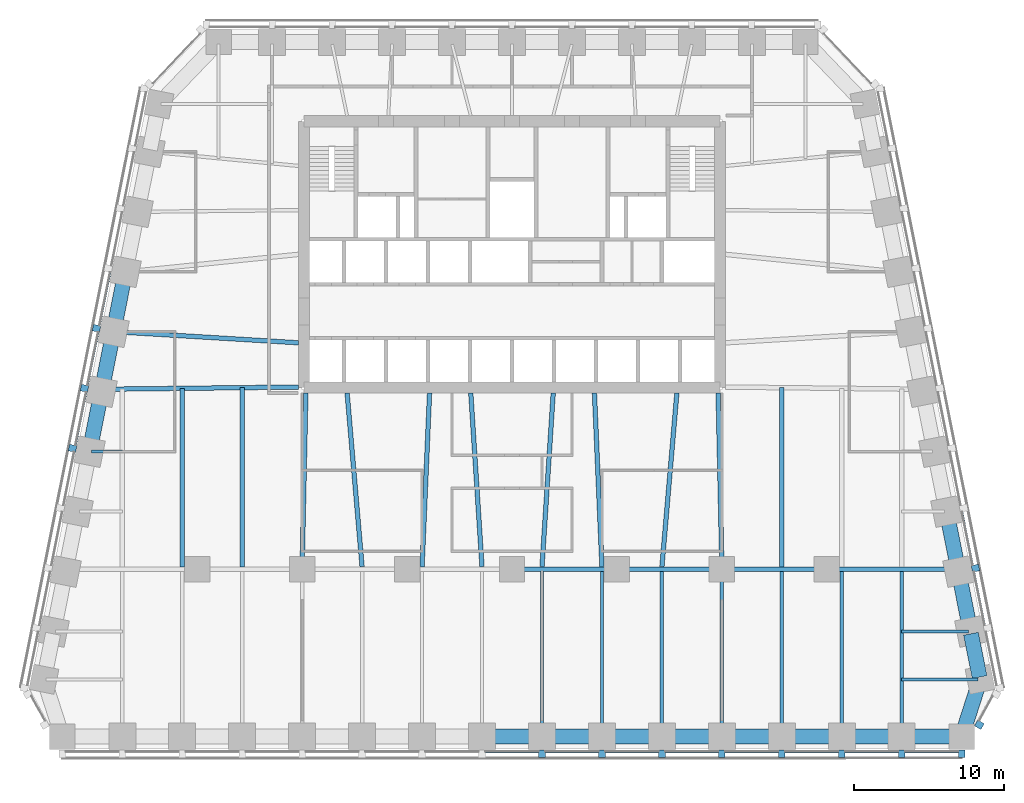
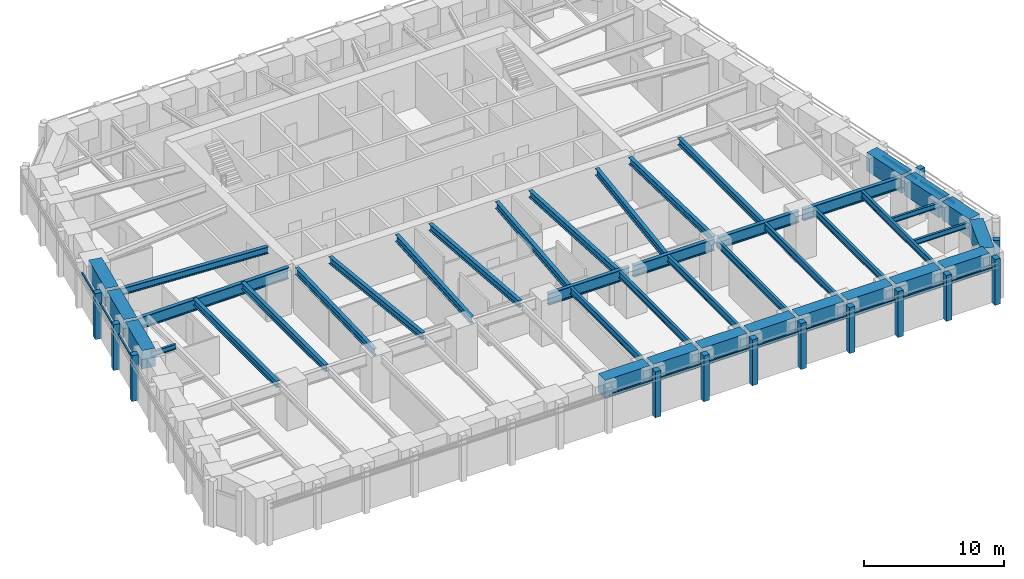
# One storey, part 2 of 10: 42 beams, 26 members, 4 elements without a shape of their own.
"""IFC4 building model written with IfcOpenShell, lengths in metres."""

import ifcopenshell
import ifcopenshell.guid

model = None  # the IFC model being written
_history = None  # IfcOwnerHistory: only IFC2X3 demands one
_inside = {}  # id of a spatial element -> (the spatial element, [elements in it])
_under = {}  # id of a project, library or spatial element -> (it, [spatial elements below it])
_declared = {}  # id of a project -> (the project, [libraries it declares])
_typed = {}  # id of a type object -> (the type object, [elements of that type])
_made_of = {}  # id of a material, layer set ... -> (it, [elements and type objects made of it])


def new_model(schema):
    """Start an empty IFC model of exactly this schema.

    Asked for "IFC4X3", IfcOpenShell would pick the latest addendum, in which some entities
    have other attributes; the version numbers below select the first issue.
    IFC2X3 requires an IfcOwnerHistory on every rooted entity: one is made here for all.
    """
    global model, _history
    if schema == "IFC4X3":
        model = ifcopenshell.file(schema_version=(4, 3, 0, 0))
    else:
        model = ifcopenshell.file(schema=schema)
    _inside.clear()
    _under.clear()
    _declared.clear()
    _typed.clear()
    _made_of.clear()
    _history = None
    if model.schema == "IFC2X3":
        org = make("IfcOrganization", Name="unknown")
        user = make(
            "IfcPersonAndOrganization",
            ThePerson=make("IfcPerson", FamilyName="unknown"),
            TheOrganization=org,
        )
        app = make(
            "IfcApplication",
            ApplicationDeveloper=org,
            Version="unknown",
            ApplicationFullName="unknown",
            ApplicationIdentifier="unknown",
        )
        _history = make(
            "IfcOwnerHistory",
            OwningUser=user,
            OwningApplication=app,
            ChangeAction="ADDED",
            CreationDate=0,
        )
    return model


def make(cls, **values):
    """One entity of the class cls with the attributes given. An attribute that is None is left unset."""
    return model.create_entity(
        cls, **{name: value for name, value in values.items() if value is not None}
    )


def rooted(cls, **values):
    """An entity with a GlobalId (a new one), such as an element, a storey or a relation."""
    return make(cls, GlobalId=ifcopenshell.guid.new(), OwnerHistory=_history, **values)


def si_unit(unit_type, name, prefix=None):
    """IfcSIUnit, for example si_unit("LENGTHUNIT", "METRE", prefix="MILLI")."""
    return make("IfcSIUnit", UnitType=unit_type, Prefix=prefix, Name=name)


def assignment(units):
    """IfcUnitAssignment: the units of a project."""
    return None if units is None else make("IfcUnitAssignment", Units=units)


def point(xyz):
    """IfcCartesianPoint."""
    return None if xyz is None else make("IfcCartesianPoint", Coordinates=xyz)


def direction(xyz):
    """IfcDirection."""
    return None if xyz is None else make("IfcDirection", DirectionRatios=xyz)


def frame(location, z_axis=None, x_axis=None):
    """IfcAxis2Placement3D, a coordinate frame: its origin and axes. An axis left out is left unset."""
    return make(
        "IfcAxis2Placement3D",
        Location=point(location),
        Axis=direction(z_axis),
        RefDirection=direction(x_axis),
    )


def frame_2d(location, x_axis=None):
    """IfcAxis2Placement2D, a coordinate frame in the plane: its origin and x axis."""
    return make(
        "IfcAxis2Placement2D", Location=point(location), RefDirection=direction(x_axis)
    )


def origin():
    """The frame at (0, 0, 0) with its axes left unset."""
    return frame((0.0, 0.0, 0.0))


def origin_2d():
    """The frame at (0, 0) in the plane with its x axis left unset."""
    return frame_2d((0.0, 0.0))


def place(relative_to, where):
    """IfcLocalPlacement: puts the frame where relative to a parent placement (None: the world)."""
    return make(
        "IfcLocalPlacement", PlacementRelTo=relative_to, RelativePlacement=where
    )


def context(
    kind, dimensions, precision=None, world=None, true_north=None, identifier=None
):
    """IfcGeometricRepresentationContext, for example the 3D "Model" context."""
    return make(
        "IfcGeometricRepresentationContext",
        ContextIdentifier=identifier,
        ContextType=kind,
        CoordinateSpaceDimension=dimensions,
        Precision=precision,
        WorldCoordinateSystem=world,
        TrueNorth=true_north,
    )


def subcontext(parent, identifier, kind, view, scale=None):
    """IfcGeometricRepresentationSubContext, for example "Body" below "Model"."""
    return make(
        "IfcGeometricRepresentationSubContext",
        ContextIdentifier=identifier,
        ContextType=kind,
        ParentContext=parent,
        TargetScale=scale,
        TargetView=view,
    )


def project(units=None, contexts=None):
    """IfcProject with its units and contexts."""
    return rooted(
        "IfcProject",
        Name="project",
        RepresentationContexts=contexts,
        UnitsInContext=assignment(units),
    )


def spatial(cls, under=None, at=None, **own):
    """A site, building, storey or space (cls), placed at a placement, below another one or the project."""
    s = rooted(cls, ObjectPlacement=at, **own)
    if under is not None:
        _under.setdefault(under.id(), (under, []))[1].append(s)
    return s


def profile(cls, at=None, kind="AREA", **sizes):
    """A parametric profile (cls). Its sizes go by their IFC names, for example OverallWidth=200.0."""
    return make(cls, ProfileType=kind, Position=at, **sizes)


def rectangle(**sizes):
    """IfcRectangleProfileDef."""
    return profile("IfcRectangleProfileDef", **sizes)


def i_section(**sizes):
    """IfcIShapeProfileDef."""
    return profile("IfcIShapeProfileDef", **sizes)


def extrude(swept, where, along, depth):
    """IfcExtrudedAreaSolid: the profile swept, set in the frame where, extruded along a direction by depth."""
    return make(
        "IfcExtrudedAreaSolid",
        SweptArea=swept,
        Position=where,
        ExtrudedDirection=direction(along),
        Depth=depth,
    )


def shape(context_of_items, identifier, shape_type, items):
    """IfcShapeRepresentation: the items that make up one representation, for example the "Body"."""
    return make(
        "IfcShapeRepresentation",
        ContextOfItems=context_of_items,
        RepresentationIdentifier=identifier,
        RepresentationType=shape_type,
        Items=items,
    )


def material(Name=None, Category=None):
    """IfcMaterial."""
    return make("IfcMaterial", Name=Name, Category=Category)


def material_profile(
    of_material, cross_section, Name=None, Category=None, Priority=None
):
    """IfcMaterialProfile: a cross section and its material."""
    return make(
        "IfcMaterialProfile",
        Name=Name,
        Material=of_material,
        Profile=cross_section,
        Priority=Priority,
        Category=Category,
    )


def profile_set(profiles, Name=None, composite=None):
    """IfcMaterialProfileSet."""
    return make(
        "IfcMaterialProfileSet",
        Name=Name,
        MaterialProfiles=profiles,
        CompositeProfile=composite,
    )


def made_of(thing, what):
    """Note that an element or type object is made of a material, layer set ...; save() writes the relation."""
    if what is not None:
        _made_of.setdefault(what.id(), (what, []))[1].append(thing)
    return thing


def type_object(cls, material=None, **own):
    """A type object (cls), such as IfcWallType, which elements share."""
    return made_of(rooted(cls, **own), material)


def element(
    cls,
    number,
    at=None,
    inside=None,
    cuts=None,
    type_object=None,
    material=None,
    context=None,
    identifier="Body",
    shape_type=None,
    held_by="IfcProductDefinitionShape",
    body=None,
    shapes=None,
    **own,
):
    """One element of the class cls, such as IfcWall. Its Tag is "e" and its number.

    at: its placement. inside: the storey or other place that contains it. cuts: it is an
    opening in that element (IfcRelVoidsElement). A single representation is given by context,
    identifier, shape_type and body (its items); several are given by shapes. held_by: the class
    of the entity that holds the representations. save() writes the other relations.
    """
    e = rooted(cls, Tag="e%d" % number, ObjectPlacement=at, **own)
    if body is not None:
        shapes = [shape(context, identifier, shape_type, body)]
    if shapes is not None:
        e.Representation = make(held_by, Representations=shapes)
    if inside is not None:
        _inside.setdefault(inside.id(), (inside, []))[1].append(e)
    if cuts is not None:
        rooted(
            "IfcRelVoidsElement", RelatingBuildingElement=cuts, RelatedOpeningElement=e
        )
    if type_object is not None:
        _typed.setdefault(type_object.id(), (type_object, []))[1].append(e)
    return made_of(e, material)


def aggregate(whole, parts):
    """IfcRelAggregates: a whole, such as a stair, and the parts it consists of."""
    return rooted("IfcRelAggregates", RelatingObject=whole, RelatedObjects=parts)


def save(model, path):
    """Write the relations noted so far, then the file.

    IfcRelAggregates (storeys below a building ...), IfcRelContainedInSpatialStructure (elements
    in a storey), IfcRelDefinesByType, IfcRelAssociatesMaterial and IfcRelDeclares: one each for
    every whole, place, type object, material and project.
    """
    for whole, parts in _under.values():
        aggregate(whole, parts)
    for where, things in _inside.values():
        rooted(
            "IfcRelContainedInSpatialStructure",
            RelatedElements=things,
            RelatingStructure=where,
        )
    for kind, things in _typed.values():
        rooted("IfcRelDefinesByType", RelatedObjects=things, RelatingType=kind)
    for what, things in _made_of.values():
        rooted("IfcRelAssociatesMaterial", RelatedObjects=things, RelatingMaterial=what)
    for by, libraries in _declared.values():
        rooted("IfcRelDeclares", RelatingContext=by, RelatedDefinitions=libraries)
    model.write(path)


model = new_model("IFC4")

# Units and contexts
model_context = context("Model", 3, precision=1e-05, world=origin(), true_north=direction((0.0, 1.0)))
body_context = subcontext(model_context, "Body", "Model", "MODEL_VIEW")
ifc_project = project(units=[si_unit("LENGTHUNIT", "METRE"), si_unit("AREAUNIT", "SQUARE_METRE"), si_unit("VOLUMEUNIT", "CUBIC_METRE"), si_unit("PLANEANGLEUNIT", "RADIAN"), si_unit("MASSUNIT", "GRAM", prefix="KILO")], contexts=[model_context])

# Site, building, storey
site_placement = place(None, origin())
site = spatial("IfcSite", under=ifc_project, at=site_placement, CompositionType="ELEMENT")
building_placement = place(site_placement, origin())
building = spatial("IfcBuilding", under=site, at=building_placement, Name="Isbrekke Arena Tower", CompositionType="ELEMENT")
storey_placement = place(building_placement, frame((0.0, 0.0, 139.0)))
storey = spatial("IfcBuildingStorey", under=building, at=storey_placement, Name="L31", CompositionType="ELEMENT", Elevation=139.0)

# Beams
ifc_material_1 = material(Name="Steel S355", Category="steel")
ifc_material_profile_1 = material_profile(ifc_material_1, i_section(OverallWidth=0.219970703125, OverallDepth=0.60009765625, WebThickness=0.011962890625, FlangeThickness=0.01904296875, FilletRadius=0.02392578125, at=origin_2d()), Name="IPE 600")
ifc_profile_set_1 = profile_set([ifc_material_profile_1], Name="Steel S355")
beam_type_1 = type_object("IfcBeamType", Name="B1 IPE 600", PredefinedType="BEAM", material=ifc_profile_set_1)
for number, where, z_axis, x_axis, name in (
    (1, (2.0, -17.02490234375, 3.550048828125), (0.0, 1.0, 0.0), (-1.0, 0.0, 0.0), "B1 beam S-S09 L31"),
    (2, (6.0, -17.02490234375, 3.550048828125), (0.0, 1.0, 0.0), (-1.0, 0.0, 0.0), "B1 beam S-S10 L31"),
    (3, (10.0, -17.02490234375, 3.550048828125), (0.0, 1.0, 0.0), (-1.0, 0.0, 0.0), "B1 beam S-S11 L31"),
):
    element("IfcBeam", number, at=place(storey_placement, frame(where, z_axis=z_axis, x_axis=x_axis)), inside=storey, type_object=beam_type_1, Name=name, PredefinedType="BEAM", context=body_context, shape_type="SweptSolid", body=[
        extrude(i_section(OverallWidth=0.219970703125, OverallDepth=0.60009765625, WebThickness=0.011962890625, FlangeThickness=0.01904296875, FilletRadius=0.02392578125, at=origin_2d()), origin(), (0.0, 0.0, 1.0), 10.8740234375),
    ])
beam_1_placement = place(storey_placement, frame((14.0, -17.02490234375, 3.550048828125), z_axis=(0.0, 1.0, 0.0), x_axis=(-1.0, 0.0, 0.0)))
element("IfcBeam", 4, at=beam_1_placement, inside=storey, type_object=beam_type_1, Name="B1 beam S-S12 L31", PredefinedType="BEAM", context=body_context, shape_type="SweptSolid", body=[
    extrude(i_section(OverallWidth=0.219970703125, OverallDepth=0.60009765625, WebThickness=0.011962890625, FlangeThickness=0.01904296875, FilletRadius=0.02392578125, at=origin_2d()), origin(), (0.0, 0.0, 1.0), 10.875),
])
for number, where, z_axis, x_axis, name in (
    (5, (18.0, -17.02490234375, 3.550048828125), (0.0, 1.0, 0.0), (-1.0, 0.0, 0.0), "B1 beam S-S13 L31"),
    (6, (22.0, -17.02490234375, 3.550048828125), (0.0, 1.0, 0.0), (-1.0, 0.0, 0.0), "B1 beam S-S14 L31"),
    (7, (26.0, -17.02490234375, 3.550048828125), (0.0, 1.0, 0.0), (-1.0, 0.0, 0.0), "B1 beam S-S15 L31"),
):
    element("IfcBeam", number, at=place(storey_placement, frame(where, z_axis=z_axis, x_axis=x_axis)), inside=storey, type_object=beam_type_1, Name=name, PredefinedType="BEAM", context=body_context, shape_type="SweptSolid", body=[
        extrude(i_section(OverallWidth=0.219970703125, OverallDepth=0.60009765625, WebThickness=0.011962890625, FlangeThickness=0.01904296875, FilletRadius=0.02392578125, at=origin_2d()), origin(), (0.0, 0.0, 1.0), 10.8740234375),
    ])
ifc_material_2 = material(Name="Steel S355", Category="steel")
ifc_material_profile_2 = material_profile(ifc_material_2, i_section(OverallWidth=0.18994140625, OverallDepth=0.449951171875, WebThickness=0.009521484375, FlangeThickness=0.0146484375, FilletRadius=0.02099609375, at=origin_2d()), Name="IPE 450")
ifc_profile_set_2 = profile_set([ifc_material_profile_2], Name="Steel S355")
beam_type_2 = type_object("IfcBeamType", Name="B2 IPE 450", PredefinedType="BEAM", material=ifc_profile_set_2)
beam_2_placement = place(storey_placement, frame((31.079345703125, -13.352783203125, 3.625), z_axis=(-1.0, 0.0, 0.0), x_axis=(0.0, -1.0, 0.0)))
element("IfcBeam", 8, at=beam_2_placement, inside=storey, type_object=beam_type_2, Name="B2 beam E-E01 L31", PredefinedType="BEAM", context=body_context, shape_type="SweptSolid", body=[
    extrude(i_section(OverallWidth=0.18994140625, OverallDepth=0.449951171875, WebThickness=0.009521484375, FlangeThickness=0.0146484375, FilletRadius=0.02099609375, at=origin_2d()), origin(), (0.0, 0.0, 1.0), 5.079345703125),
])
beam_3_placement = place(storey_placement, frame((30.44091796875, -10.161865234375, 3.625), z_axis=(-1.0, 0.0, 0.0), x_axis=(0.0, -1.0, 0.0)))
element("IfcBeam", 9, at=beam_3_placement, inside=storey, type_object=beam_type_2, Name="B2 beam E-E02 L31", PredefinedType="BEAM", context=body_context, shape_type="SweptSolid", body=[
    extrude(i_section(OverallWidth=0.18994140625, OverallDepth=0.449951171875, WebThickness=0.009521484375, FlangeThickness=0.0146484375, FilletRadius=0.02099609375, at=origin_2d()), origin(), (0.0, 0.0, 1.0), 4.44091796875),
])
beam_4_placement = place(storey_placement, frame((-28.041015625, 1.838134765625, 3.625), z_axis=(1.0, 0.0, 0.0), x_axis=(0.0, 1.0, 0.0)))
element("IfcBeam", 10, at=beam_4_placement, inside=storey, type_object=beam_type_2, Name="B2 beam E-W07 L31", PredefinedType="BEAM", context=body_context, shape_type="SweptSolid", body=[
    extrude(i_section(OverallWidth=0.18994140625, OverallDepth=0.449951171875, WebThickness=0.009521484375, FlangeThickness=0.0146484375, FilletRadius=0.02099609375, at=origin_2d()), origin(), (0.0, 0.0, 1.0), 2.041015625),
])
ifc_material_3 = material(Name="Steel S355", Category="steel")
ifc_material_profile_3 = material_profile(ifc_material_3, i_section(OverallWidth=0.300048828125, OverallDepth=0.60009765625, WebThickness=0.015380859375, FlangeThickness=0.030029296875, FilletRadius=0.027099609375, at=origin_2d()), Name="HEB 600")
ifc_profile_set_3 = profile_set([ifc_material_profile_3], Name="Steel S355")
beam_type_3 = type_object("IfcBeamType", Name="B7 HEB 600", PredefinedType="BEAM", material=ifc_profile_set_3)
beam_5_placement = place(storey_placement, frame((-22.0, -5.84912109375, 3.550048828125), z_axis=(0.0, 1.0, 0.0), x_axis=(-1.0, 0.0, 0.0)))
element("IfcBeam", 11, at=beam_5_placement, inside=storey, type_object=beam_type_3, Name="B7 beam C-M02 L31", PredefinedType="BEAM", context=body_context, shape_type="SweptSolid", body=[
    extrude(i_section(OverallWidth=0.300048828125, OverallDepth=0.60009765625, WebThickness=0.015380859375, FlangeThickness=0.030029296875, FilletRadius=0.027099609375, at=origin_2d()), origin(), (0.0, 0.0, 1.0), 11.91064453125),
])
beam_6_placement = place(storey_placement, frame((-18.0, -5.84912109375, 3.550048828125), z_axis=(0.0, 1.0, 0.0), x_axis=(-1.0, 0.0, 0.0)))
element("IfcBeam", 12, at=beam_6_placement, inside=storey, type_object=beam_type_3, Name="B7 beam C-M03 L31", PredefinedType="BEAM", context=body_context, shape_type="SweptSolid", body=[
    extrude(i_section(OverallWidth=0.300048828125, OverallDepth=0.60009765625, WebThickness=0.015380859375, FlangeThickness=0.030029296875, FilletRadius=0.027099609375, at=origin_2d()), origin(), (0.0, 0.0, 1.0), 11.956298828125),
])
beam_7_placement = place(storey_placement, frame((-14.0, -5.8466796875, 3.550048828125), z_axis=(0.021552887044, 0.999767709551, 0.0), x_axis=(-0.999767709551, 0.021552887044, 0.0)))
element("IfcBeam", 13, at=beam_7_placement, inside=storey, type_object=beam_type_3, Name="B7 beam C-M04 L31", PredefinedType="BEAM", context=body_context, shape_type="SweptSolid", body=[
    extrude(i_section(OverallWidth=0.300048828125, OverallDepth=0.60009765625, WebThickness=0.015380859375, FlangeThickness=0.030029296875, FilletRadius=0.027099609375, at=origin_2d()), origin(), (0.0, 0.0, 1.0), 11.599365234375),
])
beam_8_placement = place(storey_placement, frame((-10.001220703125, -5.836181640625, 3.550048828125), z_axis=(-0.085885827104, 0.996304985786, 0.0), x_axis=(-0.996304985786, -0.085885827104, 0.0)))
element("IfcBeam", 14, at=beam_8_placement, inside=storey, type_object=beam_type_3, Name="B7 beam C-M05 L31", PredefinedType="BEAM", context=body_context, shape_type="SweptSolid", body=[
    extrude(i_section(OverallWidth=0.300048828125, OverallDepth=0.60009765625, WebThickness=0.015380859375, FlangeThickness=0.030029296875, FilletRadius=0.027099609375, at=origin_2d()), origin(), (0.0, 0.0, 1.0), 11.629150390625),
])
beam_9_placement = place(storey_placement, frame((-5.999755859375, -5.842529296875, 3.550048828125), z_axis=(0.043070161667, 0.999072050041, 0.0), x_axis=(-0.999072050041, 0.043070161667, 0.0)))
element("IfcBeam", 15, at=beam_9_placement, inside=storey, type_object=beam_type_3, Name="B7 beam C-M06 L31", PredefinedType="BEAM", context=body_context, shape_type="SweptSolid", body=[
    extrude(i_section(OverallWidth=0.300048828125, OverallDepth=0.60009765625, WebThickness=0.015380859375, FlangeThickness=0.030029296875, FilletRadius=0.027099609375, at=origin_2d()), origin(), (0.0, 0.0, 1.0), 11.603271484375),
])
for number, where, z_axis, x_axis, name in (
    (16, (-2.000732421875, -5.83935546875, 3.550048828125), (-0.064516666031, 0.997916629686, 0.0), (-0.997916629686, -0.064516666031, 0.0), "B7 beam C-M07 L31"),
    (17, (2.000732421875, -5.83935546875, 3.550048828125), (0.064516666031, 0.997916629686, 0.0), (-0.997916629686, 0.064516666031, 0.0), "B7 beam C-M08 L31"),
):
    element("IfcBeam", number, at=place(storey_placement, frame(where, z_axis=z_axis, x_axis=x_axis)), inside=storey, type_object=beam_type_3, Name=name, PredefinedType="BEAM", context=body_context, shape_type="SweptSolid", body=[
        extrude(i_section(OverallWidth=0.300048828125, OverallDepth=0.60009765625, WebThickness=0.015380859375, FlangeThickness=0.030029296875, FilletRadius=0.027099609375, at=origin_2d()), origin(), (0.0, 0.0, 1.0), 11.613525390625),
    ])
beam_10_placement = place(storey_placement, frame((5.999755859375, -5.842529296875, 3.550048828125), z_axis=(-0.043070161667, 0.999072050041, 0.0), x_axis=(-0.999072050041, -0.043070161667, 0.0)))
element("IfcBeam", 18, at=beam_10_placement, inside=storey, type_object=beam_type_3, Name="B7 beam C-M09 L31", PredefinedType="BEAM", context=body_context, shape_type="SweptSolid", body=[
    extrude(i_section(OverallWidth=0.300048828125, OverallDepth=0.60009765625, WebThickness=0.015380859375, FlangeThickness=0.030029296875, FilletRadius=0.027099609375, at=origin_2d()), origin(), (0.0, 0.0, 1.0), 11.603271484375),
])
beam_11_placement = place(storey_placement, frame((10.001220703125, -5.836181640625, 3.550048828125), z_axis=(0.085885827104, 0.996304985786, 0.0), x_axis=(-0.996304985786, 0.085885827104, 0.0)))
element("IfcBeam", 19, at=beam_11_placement, inside=storey, type_object=beam_type_3, Name="B7 beam C-M10 L31", PredefinedType="BEAM", context=body_context, shape_type="SweptSolid", body=[
    extrude(i_section(OverallWidth=0.300048828125, OverallDepth=0.60009765625, WebThickness=0.015380859375, FlangeThickness=0.030029296875, FilletRadius=0.027099609375, at=origin_2d()), origin(), (0.0, 0.0, 1.0), 11.629150390625),
])
beam_12_placement = place(storey_placement, frame((14.0, -5.8466796875, 3.550048828125), z_axis=(-0.021552887044, 0.999767709551, 0.0), x_axis=(-0.999767709551, -0.021552887044, 0.0)))
element("IfcBeam", 20, at=beam_12_placement, inside=storey, type_object=beam_type_3, Name="B7 beam C-M11 L31", PredefinedType="BEAM", context=body_context, shape_type="SweptSolid", body=[
    extrude(i_section(OverallWidth=0.300048828125, OverallDepth=0.60009765625, WebThickness=0.015380859375, FlangeThickness=0.030029296875, FilletRadius=0.027099609375, at=origin_2d()), origin(), (0.0, 0.0, 1.0), 11.599365234375),
])
beam_13_placement = place(storey_placement, frame((18.0, -5.84912109375, 3.550048828125), z_axis=(0.0, 1.0, 0.0), x_axis=(-1.0, 0.0, 0.0)))
element("IfcBeam", 21, at=beam_13_placement, inside=storey, type_object=beam_type_3, Name="B7 beam C-M12 L31", PredefinedType="BEAM", context=body_context, shape_type="SweptSolid", body=[
    extrude(i_section(OverallWidth=0.300048828125, OverallDepth=0.60009765625, WebThickness=0.015380859375, FlangeThickness=0.030029296875, FilletRadius=0.027099609375, at=origin_2d()), origin(), (0.0, 0.0, 1.0), 11.956298828125),
])
beam_14_placement = place(storey_placement, frame((-26.431884765625, 9.837646484375, 3.550048828125), z_axis=(0.998172191876, -0.060434057993, 0.0), x_axis=(0.060434057993, 0.998172191876, 0.0)))
element("IfcBeam", 22, at=beam_14_placement, inside=storey, type_object=beam_type_3, Name="B7 beam E-W05 L31", PredefinedType="BEAM", context=body_context, shape_type="SweptSolid", body=[
    extrude(i_section(OverallWidth=0.300048828125, OverallDepth=0.60009765625, WebThickness=0.015380859375, FlangeThickness=0.030029296875, FilletRadius=0.027099609375, at=origin_2d()), origin(), (0.0, 0.0, 1.0), 12.2041015625),
])

# Curtain wall, members
ifc_material_4 = material(Name="Glazed aluminium curtain wall", Category="aluminium")
curtain_wall_type = type_object("IfcCurtainWallType", Name="CWM TOWER CURTAIN WALL MID ZONE", PredefinedType="USERDEFINED", material=ifc_material_4)
curtain_wall_1_placement = place(storey_placement, origin())
curtain_wall_1 = element("IfcCurtainWall", 23, at=curtain_wall_1_placement, inside=storey, type_object=curtain_wall_type, Name="CWM curtain wall L31-S", ObjectType="TOWER CURTAIN WALL MID ZONE", PredefinedType="USERDEFINED")
ifc_material_5 = material(Name="Aluminium mullion, pale brick slip cladding", Category="masonry")
ifc_material_profile_4 = material_profile(ifc_material_5, rectangle(XDim=0.449951171875, YDim=0.5, at=origin_2d()), Name="PIER 450X500")
ifc_profile_set_4 = profile_set([ifc_material_profile_4], Name="Aluminium mullion, pale brick slip cladding")
member_type_1 = type_object("IfcMemberType", Name="CWM-M PIER MULLION 450 x 500", PredefinedType="MULLION", material=ifc_profile_set_4)
member_1_placement = place(storey_placement, frame((2.0, -18.324951171875, 0.0), z_axis=(0.0, 0.0, 1.0), x_axis=(1.0, 0.0, 0.0)))
member_1 = element("IfcMember", 24, at=member_1_placement, type_object=member_type_1, Name="CWM-M mullion 9", PredefinedType="MULLION", context=body_context, shape_type="SweptSolid", body=[
    extrude(rectangle(XDim=0.449951171875, YDim=0.5, at=origin_2d()), origin(), (0.0, 0.0, 1.0), 4.0),
])
member_2_placement = place(storey_placement, frame((6.0, -18.324951171875, 0.0), z_axis=(0.0, 0.0, 1.0), x_axis=(1.0, 0.0, 0.0)))
member_2 = element("IfcMember", 25, at=member_2_placement, type_object=member_type_1, Name="CWM-M mullion 10", PredefinedType="MULLION", context=body_context, shape_type="SweptSolid", body=[
    extrude(rectangle(XDim=0.449951171875, YDim=0.5, at=origin_2d()), origin(), (0.0, 0.0, 1.0), 4.0),
])
member_3_placement = place(storey_placement, frame((10.0, -18.324951171875, 0.0), z_axis=(0.0, 0.0, 1.0), x_axis=(1.0, 0.0, 0.0)))
member_3 = element("IfcMember", 26, at=member_3_placement, type_object=member_type_1, Name="CWM-M mullion 11", PredefinedType="MULLION", context=body_context, shape_type="SweptSolid", body=[
    extrude(rectangle(XDim=0.449951171875, YDim=0.5, at=origin_2d()), origin(), (0.0, 0.0, 1.0), 4.0),
])
member_4_placement = place(storey_placement, frame((14.0, -18.324951171875, 0.0), z_axis=(0.0, 0.0, 1.0), x_axis=(1.0, 0.0, 0.0)))
member_4 = element("IfcMember", 27, at=member_4_placement, type_object=member_type_1, Name="CWM-M mullion 12", PredefinedType="MULLION", context=body_context, shape_type="SweptSolid", body=[
    extrude(rectangle(XDim=0.449951171875, YDim=0.5, at=origin_2d()), origin(), (0.0, 0.0, 1.0), 4.0),
])
member_5_placement = place(storey_placement, frame((18.0, -18.324951171875, 0.0), z_axis=(0.0, 0.0, 1.0), x_axis=(1.0, 0.0, 0.0)))
member_5 = element("IfcMember", 28, at=member_5_placement, type_object=member_type_1, Name="CWM-M mullion 13", PredefinedType="MULLION", context=body_context, shape_type="SweptSolid", body=[
    extrude(rectangle(XDim=0.449951171875, YDim=0.5, at=origin_2d()), origin(), (0.0, 0.0, 1.0), 4.0),
])
member_6_placement = place(storey_placement, frame((22.0, -18.324951171875, 0.0), z_axis=(0.0, 0.0, 1.0), x_axis=(1.0, 0.0, 0.0)))
member_6 = element("IfcMember", 29, at=member_6_placement, type_object=member_type_1, Name="CWM-M mullion 14", PredefinedType="MULLION", context=body_context, shape_type="SweptSolid", body=[
    extrude(rectangle(XDim=0.449951171875, YDim=0.5, at=origin_2d()), origin(), (0.0, 0.0, 1.0), 4.0),
])
member_7_placement = place(storey_placement, frame((26.0, -18.324951171875, 0.0), z_axis=(0.0, 0.0, 1.0), x_axis=(1.0, 0.0, 0.0)))
member_7 = element("IfcMember", 30, at=member_7_placement, type_object=member_type_1, Name="CWM-M mullion 15", PredefinedType="MULLION", context=body_context, shape_type="SweptSolid", body=[
    extrude(rectangle(XDim=0.449951171875, YDim=0.5, at=origin_2d()), origin(), (0.0, 0.0, 1.0), 4.0),
])
member_8_placement = place(storey_placement, frame((30.0, -18.324951171875, 0.0), z_axis=(0.0, 0.0, 1.0), x_axis=(1.0, 0.0, 0.0)))
member_8 = element("IfcMember", 31, at=member_8_placement, type_object=member_type_1, Name="CWM-M mullion 16", PredefinedType="MULLION", context=body_context, shape_type="SweptSolid", body=[
    extrude(rectangle(XDim=0.449951171875, YDim=0.5, at=origin_2d()), origin(), (0.0, 0.0, 1.0), 4.0),
])

# Curtain wall, member
curtain_wall_2_placement = place(storey_placement, origin())
curtain_wall_2 = element("IfcCurtainWall", 32, at=curtain_wall_2_placement, inside=storey, type_object=curtain_wall_type, Name="CWM curtain wall L31-SE", ObjectType="TOWER CURTAIN WALL MID ZONE", PredefinedType="USERDEFINED")
member_9_placement = place(storey_placement, frame((31.17529296875, -16.382080078125, 0.0), z_axis=(0.0, 0.0, 1.0), x_axis=(0.481918749773, 0.876215908676, 0.0)))
member_9 = element("IfcMember", 33, at=member_9_placement, type_object=member_type_1, Name="CWM-M mullion 1", PredefinedType="MULLION", context=body_context, shape_type="SweptSolid", body=[
    extrude(rectangle(XDim=0.449951171875, YDim=0.5, at=origin_2d()), origin(), (0.0, 0.0, 1.0), 4.0),
])
aggregate(curtain_wall_2, [member_9])

curtain_wall_3_placement = place(storey_placement, origin())
curtain_wall_3 = element("IfcCurtainWall", 34, at=curtain_wall_3_placement, inside=storey, type_object=curtain_wall_type, Name="CWM curtain wall L31-E", ObjectType="TOWER CURTAIN WALL MID ZONE", PredefinedType="USERDEFINED")
member_10_placement = place(storey_placement, frame((30.918701171875, -5.936279296875, 0.0), z_axis=(0.0, 0.0, 1.0), x_axis=(-0.196116135138, 0.980580675691, 0.0)))
member_10 = element("IfcMember", 35, at=member_10_placement, type_object=member_type_1, Name="CWM-M mullion 3", PredefinedType="MULLION", context=body_context, shape_type="SweptSolid", body=[
    extrude(rectangle(XDim=0.449951171875, YDim=0.5, at=origin_2d()), origin(), (0.0, 0.0, 1.0), 4.0),
])

# Curtain wall, members
curtain_wall_4_placement = place(storey_placement, origin())
curtain_wall_4 = element("IfcCurtainWall", 36, at=curtain_wall_4_placement, inside=storey, type_object=curtain_wall_type, Name="CWM curtain wall L31-W", ObjectType="TOWER CURTAIN WALL MID ZONE", PredefinedType="USERDEFINED")
member_11_placement = place(storey_placement, frame((-27.71875, 10.063720703125, 0.0), z_axis=(0.0, 0.0, 1.0), x_axis=(-0.196116135138, -0.980580675691, 0.0)))
member_11 = element("IfcMember", 37, at=member_11_placement, type_object=member_type_1, Name="CWM-M mullion 5", PredefinedType="MULLION", context=body_context, shape_type="SweptSolid", body=[
    extrude(rectangle(XDim=0.449951171875, YDim=0.5, at=origin_2d()), origin(), (0.0, 0.0, 1.0), 4.0),
])
member_12_placement = place(storey_placement, frame((-28.518798828125, 6.063720703125, 0.0), z_axis=(0.0, 0.0, 1.0), x_axis=(-0.196116135138, -0.980580675691, 0.0)))
member_12 = element("IfcMember", 38, at=member_12_placement, type_object=member_type_1, Name="CWM-M mullion 6", PredefinedType="MULLION", context=body_context, shape_type="SweptSolid", body=[
    extrude(rectangle(XDim=0.449951171875, YDim=0.5, at=origin_2d()), origin(), (0.0, 0.0, 1.0), 4.0),
])
member_13_placement = place(storey_placement, frame((-29.318603515625, 2.063720703125, 0.0), z_axis=(0.0, 0.0, 1.0), x_axis=(-0.196116135138, -0.980580675691, 0.0)))
member_13 = element("IfcMember", 39, at=member_13_placement, type_object=member_type_1, Name="CWM-M mullion 7", PredefinedType="MULLION", context=body_context, shape_type="SweptSolid", body=[
    extrude(rectangle(XDim=0.449951171875, YDim=0.5, at=origin_2d()), origin(), (0.0, 0.0, 1.0), 4.0),
])

# Member
ifc_material_6 = material(Name="Aluminium transom", Category="aluminium")
ifc_material_profile_5 = material_profile(ifc_material_6, rectangle(XDim=0.1201171875, YDim=0.199951171875, at=origin_2d()), Name="TRANSOM 120X200")
ifc_profile_set_5 = profile_set([ifc_material_profile_5], Name="Aluminium transom")
member_type_2 = type_object("IfcMemberType", Name="CWM-T TRANSOM 120 x 200", PredefinedType="USERDEFINED", material=ifc_profile_set_5)
member_14_placement = place(storey_placement, frame((-1.77490234375, -18.175048828125, 3.0), z_axis=(1.0, 0.0, 0.0), x_axis=(0.0, 1.0, 0.0)))
member_14 = element("IfcMember", 40, at=member_14_placement, type_object=member_type_2, Name="CWM-T transom 8", ObjectType="TRANSOM", PredefinedType="USERDEFINED", context=body_context, shape_type="SweptSolid", body=[
    extrude(rectangle(XDim=0.1201171875, YDim=0.199951171875, at=origin_2d()), origin(), (0.0, 0.0, 1.0), 3.5498046875),
])

member_15_placement = place(storey_placement, frame((2.22509765625, -18.175048828125, 3.0), z_axis=(1.0, 0.0, 0.0), x_axis=(0.0, 1.0, 0.0)))
member_15 = element("IfcMember", 41, at=member_15_placement, type_object=member_type_2, Name="CWM-T transom 9", ObjectType="TRANSOM", PredefinedType="USERDEFINED", context=body_context, shape_type="SweptSolid", body=[
    extrude(rectangle(XDim=0.1201171875, YDim=0.199951171875, at=origin_2d()), origin(), (0.0, 0.0, 1.0), 3.5498046875),
])

member_16_placement = place(storey_placement, frame((6.22509765625, -18.175048828125, 3.0), z_axis=(1.0, 0.0, 0.0), x_axis=(0.0, 1.0, 0.0)))
member_16 = element("IfcMember", 42, at=member_16_placement, type_object=member_type_2, Name="CWM-T transom 10", ObjectType="TRANSOM", PredefinedType="USERDEFINED", context=body_context, shape_type="SweptSolid", body=[
    extrude(rectangle(XDim=0.1201171875, YDim=0.199951171875, at=origin_2d()), origin(), (0.0, 0.0, 1.0), 3.5498046875),
])

member_17_placement = place(storey_placement, frame((10.22509765625, -18.175048828125, 3.0), z_axis=(1.0, 0.0, 0.0), x_axis=(0.0, 1.0, 0.0)))
member_17 = element("IfcMember", 43, at=member_17_placement, type_object=member_type_2, Name="CWM-T transom 11", ObjectType="TRANSOM", PredefinedType="USERDEFINED", context=body_context, shape_type="SweptSolid", body=[
    extrude(rectangle(XDim=0.1201171875, YDim=0.199951171875, at=origin_2d()), origin(), (0.0, 0.0, 1.0), 3.5498046875),
])

member_18_placement = place(storey_placement, frame((14.22509765625, -18.175048828125, 3.0), z_axis=(1.0, 0.0, 0.0), x_axis=(0.0, 1.0, 0.0)))
member_18 = element("IfcMember", 44, at=member_18_placement, type_object=member_type_2, Name="CWM-T transom 12", ObjectType="TRANSOM", PredefinedType="USERDEFINED", context=body_context, shape_type="SweptSolid", body=[
    extrude(rectangle(XDim=0.1201171875, YDim=0.199951171875, at=origin_2d()), origin(), (0.0, 0.0, 1.0), 3.5498046875),
])

member_19_placement = place(storey_placement, frame((18.22509765625, -18.175048828125, 3.0), z_axis=(1.0, 0.0, 0.0), x_axis=(0.0, 1.0, 0.0)))
member_19 = element("IfcMember", 45, at=member_19_placement, type_object=member_type_2, Name="CWM-T transom 13", ObjectType="TRANSOM", PredefinedType="USERDEFINED", context=body_context, shape_type="SweptSolid", body=[
    extrude(rectangle(XDim=0.1201171875, YDim=0.199951171875, at=origin_2d()), origin(), (0.0, 0.0, 1.0), 3.5498046875),
])

member_20_placement = place(storey_placement, frame((22.22509765625, -18.175048828125, 3.0), z_axis=(1.0, 0.0, 0.0), x_axis=(0.0, 1.0, 0.0)))
member_20 = element("IfcMember", 46, at=member_20_placement, type_object=member_type_2, Name="CWM-T transom 14", ObjectType="TRANSOM", PredefinedType="USERDEFINED", context=body_context, shape_type="SweptSolid", body=[
    extrude(rectangle(XDim=0.1201171875, YDim=0.199951171875, at=origin_2d()), origin(), (0.0, 0.0, 1.0), 3.5498046875),
])

member_21_placement = place(storey_placement, frame((26.22509765625, -18.175048828125, 3.0), z_axis=(1.0, 0.0, 0.0), x_axis=(0.0, 1.0, 0.0)))
member_21 = element("IfcMember", 47, at=member_21_placement, type_object=member_type_2, Name="CWM-T transom 15", ObjectType="TRANSOM", PredefinedType="USERDEFINED", context=body_context, shape_type="SweptSolid", body=[
    extrude(rectangle(XDim=0.1201171875, YDim=0.199951171875, at=origin_2d()), origin(), (0.0, 0.0, 1.0), 3.5498046875),
])

aggregate(curtain_wall_1, [member_1, member_2, member_3, member_4, member_5, member_6, member_7, member_8, member_14, member_15, member_16, member_17, member_18, member_19, member_20, member_21])

member_22_placement = place(storey_placement, frame((31.527587890625, -9.7451171875, 3.0), z_axis=(-0.196154943734, 0.980572913173, 0.0), x_axis=(-0.980572913173, -0.196154943734, 0.0)))
member_22 = element("IfcMember", 48, at=member_22_placement, type_object=member_type_2, Name="CWM-T transom 2", ObjectType="TRANSOM", PredefinedType="USERDEFINED", context=body_context, shape_type="SweptSolid", body=[
    extrude(rectangle(XDim=0.1201171875, YDim=0.199951171875, at=origin_2d()), origin(), (0.0, 0.0, 1.0), 3.62939453125),
])

member_23_placement = place(storey_placement, frame((30.7275390625, -5.7451171875, 3.0), z_axis=(-0.196154943734, 0.980572913173, 0.0), x_axis=(-0.980572913173, -0.196154943734, 0.0)))
member_23 = element("IfcMember", 49, at=member_23_placement, type_object=member_type_2, Name="CWM-T transom 3", ObjectType="TRANSOM", PredefinedType="USERDEFINED", context=body_context, shape_type="SweptSolid", body=[
    extrude(rectangle(XDim=0.1201171875, YDim=0.199951171875, at=origin_2d()), origin(), (0.0, 0.0, 1.0), 3.62939453125),
])

aggregate(curtain_wall_3, [member_10, member_22, member_23])

member_24_placement = place(storey_placement, frame((-26.815673828125, 13.813720703125, 3.0), z_axis=(-0.196154943734, -0.980572913173, 0.0), x_axis=(0.980572913173, -0.196154943734, 0.0)))
member_24 = element("IfcMember", 50, at=member_24_placement, type_object=member_type_2, Name="CWM-T transom 4", ObjectType="TRANSOM", PredefinedType="USERDEFINED", context=body_context, shape_type="SweptSolid", body=[
    extrude(rectangle(XDim=0.1201171875, YDim=0.199951171875, at=origin_2d()), origin(), (0.0, 0.0, 1.0), 3.62939453125),
])

member_25_placement = place(storey_placement, frame((-27.61572265625, 9.813720703125, 3.0), z_axis=(-0.196090262229, -0.980585849918, 0.0), x_axis=(0.980585849918, -0.196090262229, 0.0)))
member_25 = element("IfcMember", 51, at=member_25_placement, type_object=member_type_2, Name="CWM-T transom 5", ObjectType="TRANSOM", PredefinedType="USERDEFINED", context=body_context, shape_type="SweptSolid", body=[
    extrude(rectangle(XDim=0.1201171875, YDim=0.199951171875, at=origin_2d()), origin(), (0.0, 0.0, 1.0), 3.62939453125),
])

member_26_placement = place(storey_placement, frame((-28.415771484375, 5.813720703125, 3.0), z_axis=(-0.196090262229, -0.980585849918, 0.0), x_axis=(0.980585849918, -0.196090262229, 0.0)))
member_26 = element("IfcMember", 52, at=member_26_placement, type_object=member_type_2, Name="CWM-T transom 6", ObjectType="TRANSOM", PredefinedType="USERDEFINED", context=body_context, shape_type="SweptSolid", body=[
    extrude(rectangle(XDim=0.1201171875, YDim=0.199951171875, at=origin_2d()), origin(), (0.0, 0.0, 1.0), 3.62939453125),
])

aggregate(curtain_wall_4, [member_11, member_12, member_13, member_24, member_25, member_26])

# Beams
ifc_material_7 = material(Name="Steel S355", Category="steel")
ifc_material_profile_6 = material_profile(ifc_material_7, i_section(OverallWidth=0.302001953125, OverallDepth=1.008056640625, WebThickness=0.02099609375, FlangeThickness=0.0400390625, FilletRadius=0.030029296875, at=origin_2d()), Name="HEM 1000")
ifc_profile_set_6 = profile_set([ifc_material_profile_6], Name="Steel S355")
beam_type_4 = type_object("IfcBeamType", Name="G1 HEM 1000", PredefinedType="BEAM", material=ifc_profile_set_6)
for number, where, z_axis, x_axis, name in (
    (53, (0.14990234375, -6.0, 3.345947265625), (1.0, 0.0, 0.0), (0.0, 1.0, 0.0), "G1 beam G1-05 L31"),
    (54, (7.14990234375, -6.0, 3.345947265625), (1.0, 0.0, 0.0), (0.0, 1.0, 0.0), "G1 beam G1-06 L31"),
    (55, (14.14990234375, -6.0, 3.345947265625), (1.0, 0.0, 0.0), (0.0, 1.0, 0.0), "G1 beam G1-07 L31"),
):
    element("IfcBeam", number, at=place(storey_placement, frame(where, z_axis=z_axis, x_axis=x_axis)), inside=storey, type_object=beam_type_4, Name=name, PredefinedType="BEAM", context=body_context, shape_type="SweptSolid", body=[
        extrude(i_section(OverallWidth=0.302001953125, OverallDepth=1.008056640625, WebThickness=0.02099609375, FlangeThickness=0.0400390625, FilletRadius=0.030029296875, at=origin_2d()), origin(), (0.0, 0.0, 1.0), 6.7001953125),
    ])
beam_15_placement = place(storey_placement, frame((21.14990234375, -6.0, 3.345947265625), z_axis=(1.0, 0.0, 0.0), x_axis=(0.0, 1.0, 0.0)))
element("IfcBeam", 56, at=beam_15_placement, inside=storey, type_object=beam_type_4, Name="G1 beam G1-08 L31", PredefinedType="BEAM", context=body_context, shape_type="SweptSolid", body=[
    extrude(i_section(OverallWidth=0.302001953125, OverallDepth=1.008056640625, WebThickness=0.02099609375, FlangeThickness=0.0400390625, FilletRadius=0.030029296875, at=origin_2d()), origin(), (0.0, 0.0, 1.0), 8.64111328125),
])
ifc_material_8 = material(Name="Steel S355", Category="steel")
ifc_material_profile_7 = material_profile(ifc_material_8, i_section(OverallWidth=0.302001953125, OverallDepth=1.008056640625, WebThickness=0.02099609375, FlangeThickness=0.0400390625, FilletRadius=0.030029296875, at=origin_2d()), Name="HEM 1000")
ifc_profile_set_7 = profile_set([ifc_material_profile_7], Name="Steel S355")
beam_type_5 = type_object("IfcBeamType", Name="G2 HEM 1000", PredefinedType="BEAM", material=ifc_profile_set_7)
beam_16_placement = place(storey_placement, frame((-14.25, 6.14990234375, 3.345947265625), z_axis=(-0.999934928157, -0.011407867963, 0.0), x_axis=(0.011407867963, -0.999934928157, 0.0)))
element("IfcBeam", 57, at=beam_16_placement, inside=storey, type_object=beam_type_5, Name="G2 beam G2-W L31", PredefinedType="BEAM", context=body_context, shape_type="SweptSolid", body=[
    extrude(i_section(OverallWidth=0.302001953125, OverallDepth=1.008056640625, WebThickness=0.02099609375, FlangeThickness=0.0400390625, FilletRadius=0.030029296875, at=origin_2d()), origin(), (0.0, 0.0, 1.0), 13.140380859375),
])
ifc_material_9 = material(Name="Concrete B80 (C80/95)", Category="concrete")
ifc_material_profile_8 = material_profile(ifc_material_9, rectangle(XDim=1.0, YDim=1.60009765625, at=origin_2d()), Name="RC 1000x1600")
ifc_profile_set_8 = profile_set([ifc_material_profile_8], Name="Concrete B80 (C80/95)")
beam_type_6 = type_object("IfcBeamType", Name="SB2 RC 1000 x 1600", PredefinedType="SPANDREL", material=ifc_profile_set_8)
for number, where, z_axis, x_axis, name in (
    (58, (-1.85009765625, -17.175048828125, 3.199951171875), (1.0, 0.0, 0.0), (0.0, 1.0, 0.0), "SB2 spandrel S08-S09 L31"),
    (59, (2.14990234375, -17.175048828125, 3.199951171875), (1.0, 0.0, 0.0), (0.0, 1.0, 0.0), "SB2 spandrel S09-S10 L31"),
    (60, (6.14990234375, -17.175048828125, 3.199951171875), (1.0, 0.0, 0.0), (0.0, 1.0, 0.0), "SB2 spandrel S10-S11 L31"),
    (61, (10.14990234375, -17.175048828125, 3.199951171875), (1.0, 0.0, 0.0), (0.0, 1.0, 0.0), "SB2 spandrel S11-S12 L31"),
    (62, (14.14990234375, -17.175048828125, 3.199951171875), (1.0, 0.0, 0.0), (0.0, 1.0, 0.0), "SB2 spandrel S12-S13 L31"),
    (63, (18.14990234375, -17.175048828125, 3.199951171875), (1.0, 0.0, 0.0), (0.0, 1.0, 0.0), "SB2 spandrel S13-S14 L31"),
    (64, (22.14990234375, -17.175048828125, 3.199951171875), (1.0, 0.0, 0.0), (0.0, 1.0, 0.0), "SB2 spandrel S14-S15 L31"),
    (65, (26.14990234375, -17.175048828125, 3.199951171875), (1.0, 0.0, 0.0), (0.0, 1.0, 0.0), "SB2 spandrel S15-S16 L31"),
):
    element("IfcBeam", number, at=place(storey_placement, frame(where, z_axis=z_axis, x_axis=x_axis)), inside=storey, type_object=beam_type_6, Name=name, PredefinedType="SPANDREL", context=body_context, shape_type="SweptSolid", body=[
        extrude(rectangle(XDim=1.0, YDim=1.60009765625, at=origin_2d()), origin(), (0.0, 0.0, 1.0), 3.7001953125),
    ])
beam_17_placement = place(storey_placement, frame((30.0458984375, -17.0322265625, 3.199951171875), z_axis=(0.306175101476, 0.951975213562, 0.0), x_axis=(-0.951975213562, 0.306175101476, 0.0)))
element("IfcBeam", 66, at=beam_17_placement, inside=storey, type_object=beam_type_6, Name="SB2 spandrel S16-E01 L31", PredefinedType="SPANDREL", context=body_context, shape_type="SweptSolid", body=[
    extrude(rectangle(XDim=1.0, YDim=1.60009765625, at=origin_2d()), origin(), (0.0, 0.0, 1.0), 3.715087890625),
])
beam_18_placement = place(storey_placement, frame((31.19970703125, -13.205810546875, 3.199951171875), z_axis=(-0.196100243168, 0.980583853951, 0.0), x_axis=(-0.980583853951, -0.196100243168, 0.0)))
element("IfcBeam", 67, at=beam_18_placement, inside=storey, type_object=beam_type_6, Name="SB2 spandrel E01-E02 L31", PredefinedType="SPANDREL", context=body_context, shape_type="SweptSolid", body=[
    extrude(rectangle(XDim=1.0, YDim=1.60009765625, at=origin_2d()), origin(), (0.0, 0.0, 1.0), 2.954345703125),
])
beam_19_placement = place(storey_placement, frame((30.5615234375, -10.0146484375, 3.199951171875), z_axis=(-0.1960664412, 0.980590613169, 0.0), x_axis=(-0.980590613169, -0.1960664412, 0.0)))
element("IfcBeam", 68, at=beam_19_placement, inside=storey, type_object=beam_type_6, Name="SB2 spandrel E02-E03 L31", PredefinedType="SPANDREL", context=body_context, shape_type="SweptSolid", body=[
    extrude(rectangle(XDim=1.0, YDim=1.60009765625, at=origin_2d()), origin(), (0.0, 0.0, 1.0), 3.779052734375),
])
beam_20_placement = place(storey_placement, frame((29.76171875, -6.0146484375, 3.199951171875), z_axis=(-0.196128558387, 0.980578190959, 0.0), x_axis=(-0.980578190959, -0.196128558387, 0.0)))
element("IfcBeam", 69, at=beam_20_placement, inside=storey, type_object=beam_type_6, Name="SB2 spandrel E03-E04 L31", PredefinedType="SPANDREL", context=body_context, shape_type="SweptSolid", body=[
    extrude(rectangle(XDim=1.0, YDim=1.60009765625, at=origin_2d()), origin(), (0.0, 0.0, 1.0), 3.779296875),
])
beam_21_placement = place(storey_placement, frame((-25.820556640625, 13.691162109375, 3.199951171875), z_axis=(-0.1960664412, -0.980590613169, 0.0), x_axis=(0.980590613169, -0.1960664412, 0.0)))
element("IfcBeam", 70, at=beam_21_placement, inside=storey, type_object=beam_type_6, Name="SB2 spandrel W04-W05 L31", PredefinedType="SPANDREL", context=body_context, shape_type="SweptSolid", body=[
    extrude(rectangle(XDim=1.0, YDim=1.60009765625, at=origin_2d()), origin(), (0.0, 0.0, 1.0), 3.779052734375),
])
for number, where, z_axis, x_axis, name in (
    (71, (-26.620361328125, 9.691162109375, 3.199951171875), (-0.196128558387, -0.980578190959, 0.0), (0.980578190959, -0.196128558387, 0.0), "SB2 spandrel W05-W06 L31"),
    (72, (-27.42041015625, 5.691162109375, 3.199951171875), (-0.196128558387, -0.980578190959, 0.0), (0.980578190959, -0.196128558387, 0.0), "SB2 spandrel W06-W07 L31"),
):
    element("IfcBeam", number, at=place(storey_placement, frame(where, z_axis=z_axis, x_axis=x_axis)), inside=storey, type_object=beam_type_6, Name=name, PredefinedType="SPANDREL", context=body_context, shape_type="SweptSolid", body=[
        extrude(rectangle(XDim=1.0, YDim=1.60009765625, at=origin_2d()), origin(), (0.0, 0.0, 1.0), 3.779296875),
    ])

save(model, "model.ifc")
